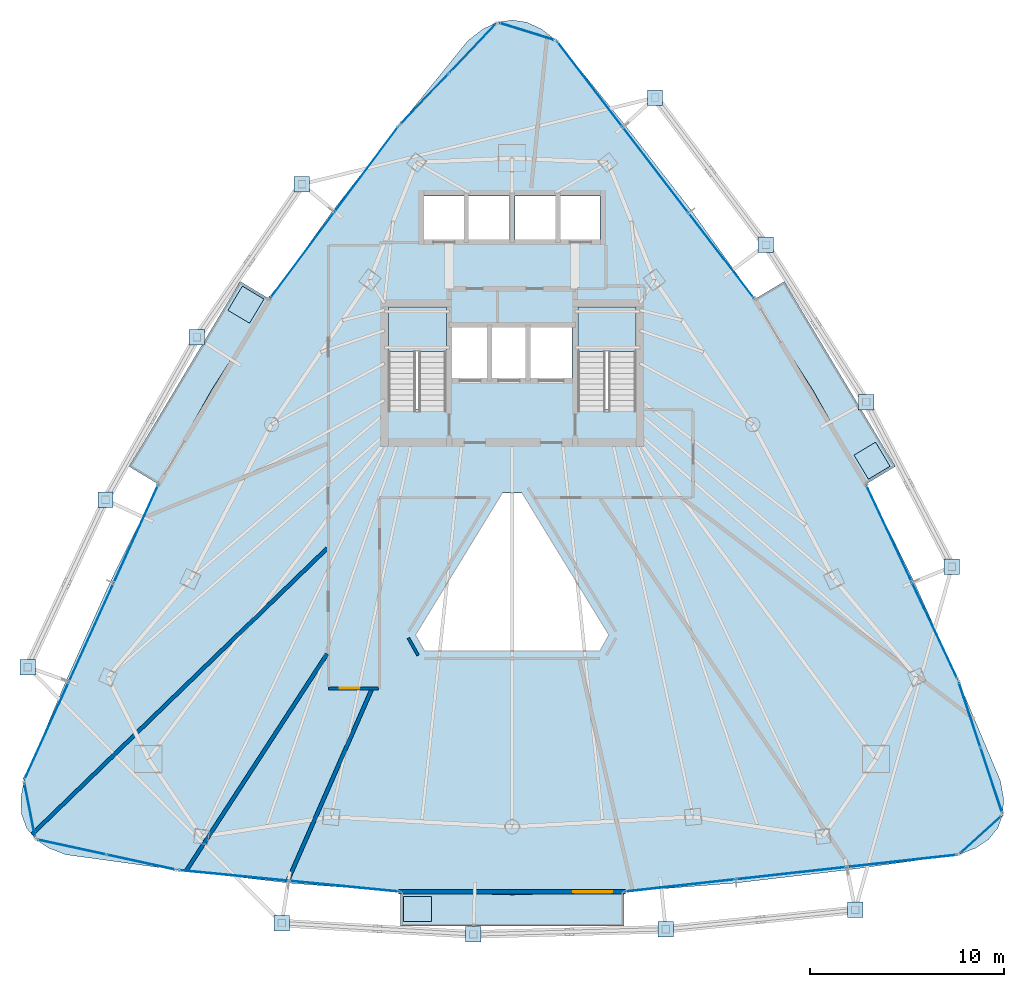
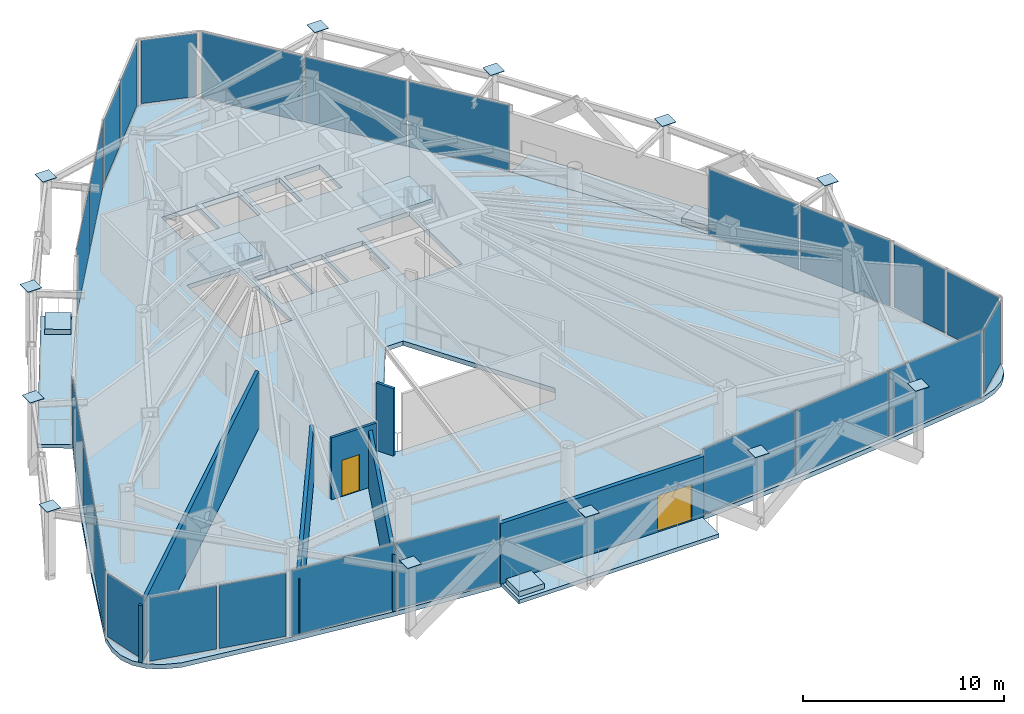
# One storey, part 23 of 28: 36 plates, 9 slabs, 6 walls, 2 doors, 2 openings, 14 elements without a shape of their own.
"""IFC4 building model written with IfcOpenShell, lengths in metres."""

import ifcopenshell
import ifcopenshell.guid

model = None  # the IFC model being written
_history = None  # IfcOwnerHistory: only IFC2X3 demands one
_inside = {}  # id of a spatial element -> (the spatial element, [elements in it])
_under = {}  # id of a project, library or spatial element -> (it, [spatial elements below it])
_declared = {}  # id of a project -> (the project, [libraries it declares])
_typed = {}  # id of a type object -> (the type object, [elements of that type])
_made_of = {}  # id of a material, layer set ... -> (it, [elements and type objects made of it])


def new_model(schema):
    """Start an empty IFC model of exactly this schema.

    Asked for "IFC4X3", IfcOpenShell would pick the latest addendum, in which some entities
    have other attributes; the version numbers below select the first issue.
    IFC2X3 requires an IfcOwnerHistory on every rooted entity: one is made here for all.
    """
    global model, _history
    if schema == "IFC4X3":
        model = ifcopenshell.file(schema_version=(4, 3, 0, 0))
    else:
        model = ifcopenshell.file(schema=schema)
    _inside.clear()
    _under.clear()
    _declared.clear()
    _typed.clear()
    _made_of.clear()
    _history = None
    if model.schema == "IFC2X3":
        org = make("IfcOrganization", Name="unknown")
        user = make(
            "IfcPersonAndOrganization",
            ThePerson=make("IfcPerson", FamilyName="unknown"),
            TheOrganization=org,
        )
        app = make(
            "IfcApplication",
            ApplicationDeveloper=org,
            Version="unknown",
            ApplicationFullName="unknown",
            ApplicationIdentifier="unknown",
        )
        _history = make(
            "IfcOwnerHistory",
            OwningUser=user,
            OwningApplication=app,
            ChangeAction="ADDED",
            CreationDate=0,
        )
    return model


def make(cls, **values):
    """One entity of the class cls with the attributes given. An attribute that is None is left unset."""
    return model.create_entity(
        cls, **{name: value for name, value in values.items() if value is not None}
    )


def rooted(cls, **values):
    """An entity with a GlobalId (a new one), such as an element, a storey or a relation."""
    return make(cls, GlobalId=ifcopenshell.guid.new(), OwnerHistory=_history, **values)


def si_unit(unit_type, name, prefix=None):
    """IfcSIUnit, for example si_unit("LENGTHUNIT", "METRE", prefix="MILLI")."""
    return make("IfcSIUnit", UnitType=unit_type, Prefix=prefix, Name=name)


def assignment(units):
    """IfcUnitAssignment: the units of a project."""
    return None if units is None else make("IfcUnitAssignment", Units=units)


def point(xyz):
    """IfcCartesianPoint."""
    return None if xyz is None else make("IfcCartesianPoint", Coordinates=xyz)


def direction(xyz):
    """IfcDirection."""
    return None if xyz is None else make("IfcDirection", DirectionRatios=xyz)


def frame(location, z_axis=None, x_axis=None):
    """IfcAxis2Placement3D, a coordinate frame: its origin and axes. An axis left out is left unset."""
    return make(
        "IfcAxis2Placement3D",
        Location=point(location),
        Axis=direction(z_axis),
        RefDirection=direction(x_axis),
    )


def frame_2d(location, x_axis=None):
    """IfcAxis2Placement2D, a coordinate frame in the plane: its origin and x axis."""
    return make(
        "IfcAxis2Placement2D", Location=point(location), RefDirection=direction(x_axis)
    )


def origin():
    """The frame at (0, 0, 0) with its axes left unset."""
    return frame((0.0, 0.0, 0.0))


def origin_2d():
    """The frame at (0, 0) in the plane with its x axis left unset."""
    return frame_2d((0.0, 0.0))


def place(relative_to, where):
    """IfcLocalPlacement: puts the frame where relative to a parent placement (None: the world)."""
    return make(
        "IfcLocalPlacement", PlacementRelTo=relative_to, RelativePlacement=where
    )


def context(
    kind, dimensions, precision=None, world=None, true_north=None, identifier=None
):
    """IfcGeometricRepresentationContext, for example the 3D "Model" context."""
    return make(
        "IfcGeometricRepresentationContext",
        ContextIdentifier=identifier,
        ContextType=kind,
        CoordinateSpaceDimension=dimensions,
        Precision=precision,
        WorldCoordinateSystem=world,
        TrueNorth=true_north,
    )


def subcontext(parent, identifier, kind, view, scale=None):
    """IfcGeometricRepresentationSubContext, for example "Body" below "Model"."""
    return make(
        "IfcGeometricRepresentationSubContext",
        ContextIdentifier=identifier,
        ContextType=kind,
        ParentContext=parent,
        TargetScale=scale,
        TargetView=view,
    )


def project(units=None, contexts=None):
    """IfcProject with its units and contexts."""
    return rooted(
        "IfcProject",
        Name="project",
        RepresentationContexts=contexts,
        UnitsInContext=assignment(units),
    )


def spatial(cls, under=None, at=None, **own):
    """A site, building, storey or space (cls), placed at a placement, below another one or the project."""
    s = rooted(cls, ObjectPlacement=at, **own)
    if under is not None:
        _under.setdefault(under.id(), (under, []))[1].append(s)
    return s


def polyline(points):
    """IfcPolyline through the points."""
    return make("IfcPolyline", Points=[point(p) for p in points])


def profile(cls, at=None, kind="AREA", **sizes):
    """A parametric profile (cls). Its sizes go by their IFC names, for example OverallWidth=200.0."""
    return make(cls, ProfileType=kind, Position=at, **sizes)


def rectangle(**sizes):
    """IfcRectangleProfileDef."""
    return profile("IfcRectangleProfileDef", **sizes)


def outline(outer, holes=None, kind="AREA"):
    """IfcArbitraryClosedProfileDef: a profile drawn as a closed curve; with holes, ...WithVoids."""
    if holes is None:
        return make("IfcArbitraryClosedProfileDef", ProfileType=kind, OuterCurve=outer)
    return make(
        "IfcArbitraryProfileDefWithVoids",
        ProfileType=kind,
        OuterCurve=outer,
        InnerCurves=holes,
    )


def extrude(swept, where, along, depth):
    """IfcExtrudedAreaSolid: the profile swept, set in the frame where, extruded along a direction by depth."""
    return make(
        "IfcExtrudedAreaSolid",
        SweptArea=swept,
        Position=where,
        ExtrudedDirection=direction(along),
        Depth=depth,
    )


def shape(context_of_items, identifier, shape_type, items):
    """IfcShapeRepresentation: the items that make up one representation, for example the "Body"."""
    return make(
        "IfcShapeRepresentation",
        ContextOfItems=context_of_items,
        RepresentationIdentifier=identifier,
        RepresentationType=shape_type,
        Items=items,
    )


def material(Name=None, Category=None):
    """IfcMaterial."""
    return make("IfcMaterial", Name=Name, Category=Category)


def layer(
    of_material, thickness, ventilated=None, Name=None, Category=None, Priority=None
):
    """IfcMaterialLayer: one layer of a wall or slab, of a material (None: an air gap)."""
    return make(
        "IfcMaterialLayer",
        Material=of_material,
        LayerThickness=thickness,
        IsVentilated=ventilated,
        Name=Name,
        Category=Category,
        Priority=Priority,
    )


def layer_set(layers, Name=None):
    """IfcMaterialLayerSet."""
    return make("IfcMaterialLayerSet", MaterialLayers=layers, LayerSetName=Name)


def made_of(thing, what):
    """Note that an element or type object is made of a material, layer set ...; save() writes the relation."""
    if what is not None:
        _made_of.setdefault(what.id(), (what, []))[1].append(thing)
    return thing


def type_object(cls, material=None, **own):
    """A type object (cls), such as IfcWallType, which elements share."""
    return made_of(rooted(cls, **own), material)


def element(
    cls,
    number,
    at=None,
    inside=None,
    cuts=None,
    type_object=None,
    material=None,
    context=None,
    identifier="Body",
    shape_type=None,
    held_by="IfcProductDefinitionShape",
    body=None,
    shapes=None,
    **own,
):
    """One element of the class cls, such as IfcWall. Its Tag is "e" and its number.

    at: its placement. inside: the storey or other place that contains it. cuts: it is an
    opening in that element (IfcRelVoidsElement). A single representation is given by context,
    identifier, shape_type and body (its items); several are given by shapes. held_by: the class
    of the entity that holds the representations. save() writes the other relations.
    """
    e = rooted(cls, Tag="e%d" % number, ObjectPlacement=at, **own)
    if body is not None:
        shapes = [shape(context, identifier, shape_type, body)]
    if shapes is not None:
        e.Representation = make(held_by, Representations=shapes)
    if inside is not None:
        _inside.setdefault(inside.id(), (inside, []))[1].append(e)
    if cuts is not None:
        rooted(
            "IfcRelVoidsElement", RelatingBuildingElement=cuts, RelatedOpeningElement=e
        )
    if type_object is not None:
        _typed.setdefault(type_object.id(), (type_object, []))[1].append(e)
    return made_of(e, material)


def fill(opening, filler):
    """IfcRelFillsElement: the door or window that sits in an opening."""
    return rooted(
        "IfcRelFillsElement",
        RelatingOpeningElement=opening,
        RelatedBuildingElement=filler,
    )


def aggregate(whole, parts):
    """IfcRelAggregates: a whole, such as a stair, and the parts it consists of."""
    return rooted("IfcRelAggregates", RelatingObject=whole, RelatedObjects=parts)


def save(model, path):
    """Write the relations noted so far, then the file.

    IfcRelAggregates (storeys below a building ...), IfcRelContainedInSpatialStructure (elements
    in a storey), IfcRelDefinesByType, IfcRelAssociatesMaterial and IfcRelDeclares: one each for
    every whole, place, type object, material and project.
    """
    for whole, parts in _under.values():
        aggregate(whole, parts)
    for where, things in _inside.values():
        rooted(
            "IfcRelContainedInSpatialStructure",
            RelatedElements=things,
            RelatingStructure=where,
        )
    for kind, things in _typed.values():
        rooted("IfcRelDefinesByType", RelatedObjects=things, RelatingType=kind)
    for what, things in _made_of.values():
        rooted("IfcRelAssociatesMaterial", RelatedObjects=things, RelatingMaterial=what)
    for by, libraries in _declared.values():
        rooted("IfcRelDeclares", RelatingContext=by, RelatedDefinitions=libraries)
    model.write(path)


model = new_model("IFC4")

# Units and contexts
model_context = context("Model", 3, precision=1e-05, world=origin(), true_north=direction((0.0, 1.0)))
body_context = subcontext(model_context, "Body", "Model", "MODEL_VIEW")
ifc_project = project(units=[si_unit("LENGTHUNIT", "METRE"), si_unit("AREAUNIT", "SQUARE_METRE"), si_unit("VOLUMEUNIT", "CUBIC_METRE"), si_unit("PLANEANGLEUNIT", "RADIAN"), si_unit("MASSUNIT", "GRAM", prefix="KILO")], contexts=[model_context])

# Site, building, storey
site_placement = place(None, origin())
site = spatial("IfcSite", under=ifc_project, at=site_placement, CompositionType="ELEMENT")
building_placement = place(site_placement, origin())
building = spatial("IfcBuilding", under=site, at=building_placement, Name="Orvanel Arch Residences", CompositionType="ELEMENT")
storey_placement = place(building_placement, frame((0.0, 0.0, 146.300048828125)))
storey = spatial("IfcBuildingStorey", under=building, at=storey_placement, Name="L41", CompositionType="ELEMENT", Elevation=146.300048828125)

# Plates
ifc_material_1 = material(Name="Structural steel AS/NZS 3678 Grade 350", Category="steel")
ifc_layer_1 = layer(ifc_material_1, 0.031982421875)
ifc_layer_set_1 = layer_set([ifc_layer_1], Name="Structural steel AS/NZS 3678 Grade 350")
plate_type_1 = type_object("IfcPlateType", Name="PL-CAP-32", PredefinedType="SHEET", material=ifc_layer_set_1)
for number, where, z_axis, x_axis, name in (
    (1, (22.135986328125, 40.052001953125, 4.333984375), (0.0, 0.0, 1.0), (1.0, 0.0, 0.0), "L41 hollow member end cap plate"),
    (2, (16.70703125, 32.136962890625, 4.333984375), (0.0, 0.0, 1.0), (1.0, 0.0, 0.0), "L41 hollow member end cap plate"),
    (3, (11.98291015625, 23.742919921875, 4.333984375), (0.0, 0.0, 1.0), (1.0, 0.0, 0.0), "L41 hollow member end cap plate"),
    (4, (7.964111328125, 15.096923828125, 4.333984375), (0.0, 0.0, 1.0), (1.0, 0.0, 0.0), "L41 hollow member end cap plate"),
    (5, (21.092041015625, 1.867919921875, 4.333984375), (0.0, 0.0, 1.0), (1.0, 0.0, 0.0), "L41 hollow member end cap plate"),
    (6, (30.989013671875, 1.284912109375, 4.333984375), (0.0, 0.0, 1.0), (1.0, 0.0, 0.0), "L41 hollow member end cap plate"),
    (7, (40.930908203125, 1.551025390625, 4.333984375), (0.0, 0.0, 1.0), (1.0, 0.0, 0.0), "L41 hollow member end cap plate"),
    (8, (50.73291015625, 2.551025390625, 4.333984375), (0.0, 0.0, 1.0), (1.0, 0.0, 0.0), "L41 hollow member end cap plate"),
    (9, (55.72412109375, 20.281005859375, 4.333984375), (0.0, 0.0, 1.0), (1.0, 0.0, 0.0), "L41 hollow member end cap plate"),
    (10, (51.297119140625, 28.797119140625, 4.333984375), (0.0, 0.0, 1.0), (1.0, 0.0, 0.0), "L41 hollow member end cap plate"),
    (11, (46.114990234375, 36.916015625, 4.333984375), (0.0, 0.0, 1.0), (1.0, 0.0, 0.0), "L41 hollow member end cap plate"),
    (12, (40.3798828125, 44.531982421875, 4.333984375), (0.0, 0.0, 1.0), (1.0, 0.0, 0.0), "L41 hollow member end cap plate"),
):
    element("IfcPlate", number, at=place(storey_placement, frame(where, z_axis=z_axis, x_axis=x_axis)), inside=storey, type_object=plate_type_1, Name=name, PredefinedType="SHEET", context=body_context, shape_type="SweptSolid", body=[
        extrude(rectangle(XDim=0.800048828125, YDim=0.800048828125, at=origin_2d()), origin(), (0.0, 0.0, 1.0), 0.031982421875),
    ])

# Curtain wall, plate
ifc_material_2 = material(Name="Bronze-anodised aluminium AA6063-T6", Category="aluminium")
ifc_layer_2 = layer(ifc_material_2, 0.18994140625)
ifc_layer_set_2 = layer_set([ifc_layer_2], Name="Bronze-anodised aluminium AA6063-T6")
curtain_wall_type_1 = type_object("IfcCurtainWallType", Name="CW5-CRN-SYS", PredefinedType="NOTDEFINED", material=ifc_layer_set_2)
curtain_wall_1_placement = place(storey_placement, origin())
curtain_wall_1 = element("IfcCurtainWall", 13, at=curtain_wall_1_placement, inside=storey, type_object=curtain_wall_type_1, Name="L41 CW5-CRN-SYS Unitised Curtain Wall", PredefinedType="NOTDEFINED")
ifc_material_3 = material(Name="Double-glazed solar-control low-E safety glass", Category="glass")
ifc_layer_3 = layer(ifc_material_3, 0.031982421875)
ifc_layer_set_3 = layer_set([ifc_layer_3], Name="Double-glazed solar-control low-E safety glass")
plate_type_2 = type_object("IfcPlateType", Name="PNL-GLZ-32", PredefinedType="CURTAIN_PANEL", material=ifc_layer_set_3)
plate_1_placement = place(storey_placement, frame((33.762939453125, 47.946044921875, 0.1298828125), z_axis=(0.0, 0.0, 1.0), x_axis=(-0.954884712154, 0.29697674403, 0.0)))
plate_1 = element("IfcPlate", 14, at=plate_1_placement, type_object=plate_type_2, Name="CW-S5 panel 1.1", PredefinedType="CURTAIN_PANEL", context=body_context, shape_type="SweptSolid", body=[
    extrude(rectangle(XDim=2.8583984375, YDim=0.031982421875, at=origin_2d()), origin(), (0.0, 0.0, 1.0), 3.85009765625),
])
aggregate(curtain_wall_1, [plate_1])

# Curtain wall, plates
curtain_wall_2_placement = place(storey_placement, origin())
curtain_wall_2 = element("IfcCurtainWall", 15, at=curtain_wall_2_placement, inside=storey, type_object=curtain_wall_type_1, Name="L41 CW5-CRN-SYS Unitised Curtain Wall", PredefinedType="NOTDEFINED")
plate_2_placement = place(storey_placement, frame((30.934326171875, 47.05615234375, 0.1298828125), z_axis=(0.0, 0.0, 1.0), x_axis=(-0.68995209509, -0.723855031398, 0.0)))
plate_2 = element("IfcPlate", 16, at=plate_2_placement, type_object=plate_type_2, Name="CW-S5 panel 1.1", PredefinedType="CURTAIN_PANEL", context=body_context, shape_type="SweptSolid", body=[
    extrude(rectangle(XDim=3.4326171875, YDim=0.031982421875, at=origin_2d()), origin(), (0.0, 0.0, 1.0), 3.85009765625),
])
plate_3_placement = place(storey_placement, frame((28.462646484375, 44.462890625, 0.1298828125), z_axis=(0.0, 0.0, 1.0), x_axis=(-0.68995209509, -0.723855031398, 0.0)))
plate_3 = element("IfcPlate", 17, at=plate_3_placement, type_object=plate_type_2, Name="CW-S5 panel 2.1", PredefinedType="CURTAIN_PANEL", context=body_context, shape_type="SweptSolid", body=[
    extrude(rectangle(XDim=3.4326171875, YDim=0.031982421875, at=origin_2d()), origin(), (0.0, 0.0, 1.0), 3.85009765625),
])
aggregate(curtain_wall_2, [plate_2, plate_3])

# Curtain wall, plate
curtain_wall_3_placement = place(storey_placement, origin())
curtain_wall_3 = element("IfcCurtainWall", 18, at=curtain_wall_3_placement, inside=storey, type_object=curtain_wall_type_1, Name="L41 CW5-CRN-SYS Unitised Curtain Wall", PredefinedType="NOTDEFINED")
plate_4_placement = place(storey_placement, frame((8.068603515625, 7.71337890625, 0.1298828125), z_axis=(0.0, 0.0, 1.0), x_axis=(0.195736540862, -0.98065651814, 0.0)))
plate_4 = element("IfcPlate", 19, at=plate_4_placement, type_object=plate_type_2, Name="CW-S5 panel 1.1", PredefinedType="CURTAIN_PANEL", context=body_context, shape_type="SweptSolid", body=[
    extrude(rectangle(XDim=2.73974609375, YDim=0.031982421875, at=origin_2d()), origin(), (0.0, 0.0, 1.0), 3.85009765625),
])
aggregate(curtain_wall_3, [plate_4])

# Curtain wall, plates
curtain_wall_4_placement = place(storey_placement, origin())
curtain_wall_4 = element("IfcCurtainWall", 20, at=curtain_wall_4_placement, inside=storey, type_object=curtain_wall_type_1, Name="L41 CW5-CRN-SYS Unitised Curtain Wall", PredefinedType="NOTDEFINED")
plate_5_placement = place(storey_placement, frame((10.248291015625, 5.79541015625, 0.1298828125), z_axis=(0.0, 0.0, 1.0), x_axis=(0.977207821391, -0.212284888328, 0.0)))
plate_5 = element("IfcPlate", 21, at=plate_5_placement, type_object=plate_type_2, Name="CW-S5 panel 1.1", PredefinedType="CURTAIN_PANEL", context=body_context, shape_type="SweptSolid", body=[
    extrude(rectangle(XDim=3.50341796875, YDim=0.031982421875, at=origin_2d()), origin(), (0.0, 0.0, 1.0), 3.85009765625),
])
plate_6_placement = place(storey_placement, frame((13.818603515625, 5.019775390625, 0.1298828125), z_axis=(0.0, 0.0, 1.0), x_axis=(0.977207821391, -0.212284888328, 0.0)))
plate_6 = element("IfcPlate", 22, at=plate_6_placement, type_object=plate_type_2, Name="CW-S5 panel 2.1", PredefinedType="CURTAIN_PANEL", context=body_context, shape_type="SweptSolid", body=[
    extrude(rectangle(XDim=3.50341796875, YDim=0.031982421875, at=origin_2d()), origin(), (0.0, 0.0, 1.0), 3.85009765625),
])
aggregate(curtain_wall_4, [plate_5, plate_6])

# Curtain wall, plate
curtain_wall_5_placement = place(storey_placement, origin())
curtain_wall_5 = element("IfcCurtainWall", 23, at=curtain_wall_5_placement, inside=storey, type_object=curtain_wall_type_1, Name="L41 CW5-CRN-SYS Unitised Curtain Wall", PredefinedType="NOTDEFINED")
plate_7_placement = place(storey_placement, frame((57.21044921875, 6.4404296875, 0.1298828125), z_axis=(0.0, 0.0, 1.0), x_axis=(0.740163210466, 0.672427261399, 0.0)))
plate_7 = element("IfcPlate", 24, at=plate_7_placement, type_object=plate_type_2, Name="CW-S5 panel 1.1", PredefinedType="CURTAIN_PANEL", context=body_context, shape_type="SweptSolid", body=[
    extrude(rectangle(XDim=2.7412109375, YDim=0.031982421875, at=origin_2d()), origin(), (0.0, 0.0, 1.0), 3.85009765625),
])
aggregate(curtain_wall_5, [plate_7])

# Curtain wall, plates
curtain_wall_6_placement = place(storey_placement, origin())
curtain_wall_6 = element("IfcCurtainWall", 25, at=curtain_wall_6_placement, inside=storey, type_object=curtain_wall_type_1, Name="L41 CW5-CRN-SYS Unitised Curtain Wall", PredefinedType="NOTDEFINED")
plate_8_placement = place(storey_placement, frame((57.760009765625, 9.25537109375, 0.1298828125), z_axis=(0.0, 0.0, 1.0), x_axis=(-0.315402345841, 0.94895803924, 0.0)))
plate_8 = element("IfcPlate", 26, at=plate_8_placement, type_object=plate_type_2, Name="CW-S5 panel 1.1", PredefinedType="CURTAIN_PANEL", context=body_context, shape_type="SweptSolid", body=[
    extrude(rectangle(XDim=3.41015625, YDim=0.031982421875, at=origin_2d()), origin(), (0.0, 0.0, 1.0), 3.85009765625),
])
plate_9_placement = place(storey_placement, frame((56.636962890625, 12.633544921875, 0.1298828125), z_axis=(0.0, 0.0, 1.0), x_axis=(-0.315402345841, 0.94895803924, 0.0)))
plate_9 = element("IfcPlate", 27, at=plate_9_placement, type_object=plate_type_2, Name="CW-S5 panel 2.1", PredefinedType="CURTAIN_PANEL", context=body_context, shape_type="SweptSolid", body=[
    extrude(rectangle(XDim=3.41015625, YDim=0.031982421875, at=origin_2d()), origin(), (0.0, 0.0, 1.0), 3.85009765625),
])
aggregate(curtain_wall_6, [plate_8, plate_9])

ifc_layer_4 = layer(ifc_material_2, 0.195068359375)
ifc_layer_set_4 = layer_set([ifc_layer_4], Name="Bronze-anodised aluminium AA6063-T6")
curtain_wall_type_2 = type_object("IfcCurtainWallType", Name="CW6-COM-SYS", PredefinedType="NOTDEFINED", material=ifc_layer_set_4)
curtain_wall_7_placement = place(storey_placement, origin())
curtain_wall_7 = element("IfcCurtainWall", 28, at=curtain_wall_7_placement, inside=storey, type_object=curtain_wall_type_2, Name="L41 CW6-COM-SYS Unitised Curtain Wall", PredefinedType="NOTDEFINED")
plate_10_placement = place(storey_placement, frame((25.46923828125, 40.828857421875, 0.06494140625), z_axis=(0.0, 0.0, 1.0), x_axis=(-0.597704871327, -0.801716213377, 0.0)))
plate_10 = element("IfcPlate", 29, at=plate_10_placement, type_object=plate_type_2, Name="CW-S6 panel 1.1", PredefinedType="CURTAIN_PANEL", context=body_context, shape_type="SweptSolid", body=[
    extrude(rectangle(XDim=5.470458984375, YDim=0.031982421875, at=origin_2d()), origin(), (0.0, 0.0, 1.0), 3.97998046875),
])
plate_11_placement = place(storey_placement, frame((22.15478515625, 36.383056640625, 0.06494140625), z_axis=(0.0, 0.0, 1.0), x_axis=(-0.597704871327, -0.801716213377, 0.0)))
plate_11 = element("IfcPlate", 30, at=plate_11_placement, type_object=plate_type_2, Name="CW-S6 panel 2.1", PredefinedType="CURTAIN_PANEL", context=body_context, shape_type="SweptSolid", body=[
    extrude(rectangle(XDim=5.470458984375, YDim=0.031982421875, at=origin_2d()), origin(), (0.0, 0.0, 1.0), 3.97998046875),
])
aggregate(curtain_wall_7, [plate_10, plate_11])

curtain_wall_8_placement = place(storey_placement, origin())
curtain_wall_8 = element("IfcCurtainWall", 31, at=curtain_wall_8_placement, inside=storey, type_object=curtain_wall_type_2, Name="L41 CW6-COM-SYS Unitised Curtain Wall", PredefinedType="NOTDEFINED")
plate_12_placement = place(storey_placement, frame((13.553955078125, 21.96826171875, 0.06494140625), z_axis=(0.0, 0.0, 1.0), x_axis=(-0.413461974242, -0.91052138682, 0.0)))
plate_12 = element("IfcPlate", 32, at=plate_12_placement, type_object=plate_type_2, Name="CW-S6 panel 1.1", PredefinedType="CURTAIN_PANEL", context=body_context, shape_type="SweptSolid", body=[
    extrude(rectangle(XDim=5.48583984375, YDim=0.031982421875, at=origin_2d()), origin(), (0.0, 0.0, 1.0), 3.97998046875),
])
plate_13_placement = place(storey_placement, frame((11.2470703125, 16.887939453125, 0.06494140625), z_axis=(0.0, 0.0, 1.0), x_axis=(-0.413461974242, -0.91052138682, 0.0)))
plate_13 = element("IfcPlate", 33, at=plate_13_placement, type_object=plate_type_2, Name="CW-S6 panel 2.1", PredefinedType="CURTAIN_PANEL", context=body_context, shape_type="SweptSolid", body=[
    extrude(rectangle(XDim=5.523193359375, YDim=0.031982421875, at=origin_2d()), origin(), (0.0, 0.0, 1.0), 3.97998046875),
])
plate_14_placement = place(storey_placement, frame((8.940185546875, 11.8076171875, 0.06494140625), z_axis=(0.0, 0.0, 1.0), x_axis=(-0.413461974242, -0.91052138682, 0.0)))
plate_14 = element("IfcPlate", 34, at=plate_14_placement, type_object=plate_type_2, Name="CW-S6 panel 3.1", PredefinedType="CURTAIN_PANEL", context=body_context, shape_type="SweptSolid", body=[
    extrude(rectangle(XDim=5.48583984375, YDim=0.031982421875, at=origin_2d()), origin(), (0.0, 0.0, 1.0), 3.97998046875),
])
aggregate(curtain_wall_8, [plate_12, plate_13, plate_14])

curtain_wall_9_placement = place(storey_placement, origin())
curtain_wall_9 = element("IfcCurtainWall", 35, at=curtain_wall_9_placement, inside=storey, type_object=curtain_wall_type_2, Name="L41 CW6-COM-SYS Unitised Curtain Wall", PredefinedType="NOTDEFINED")
plate_15_placement = place(storey_placement, frame((18.609375, 4.328369140625, 0.06494140625), z_axis=(0.0, 0.0, 1.0), x_axis=(0.995295224559, -0.096888678236, 0.0)))
plate_15 = element("IfcPlate", 36, at=plate_15_placement, type_object=plate_type_2, Name="CW-S6 panel 1.1", PredefinedType="CURTAIN_PANEL", context=body_context, shape_type="SweptSolid", body=[
    extrude(rectangle(XDim=5.662109375, YDim=0.031982421875, at=origin_2d()), origin(), (0.0, 0.0, 1.0), 3.97998046875),
])
plate_16_placement = place(storey_placement, frame((24.319580078125, 3.7724609375, 0.06494140625), z_axis=(0.0, 0.0, 1.0), x_axis=(0.995295224559, -0.096888678236, 0.0)))
plate_16 = element("IfcPlate", 37, at=plate_16_placement, type_object=plate_type_2, Name="CW-S6 panel 2.1", PredefinedType="CURTAIN_PANEL", context=body_context, shape_type="SweptSolid", body=[
    extrude(rectangle(XDim=5.662109375, YDim=0.031982421875, at=origin_2d()), origin(), (0.0, 0.0, 1.0), 3.97998046875),
])
aggregate(curtain_wall_9, [plate_15, plate_16])

curtain_wall_10_placement = place(storey_placement, origin())
curtain_wall_10 = element("IfcCurtainWall", 38, at=curtain_wall_10_placement, inside=storey, type_object=curtain_wall_type_2, Name="L41 CW6-COM-SYS Unitised Curtain Wall", PredefinedType="NOTDEFINED")
plate_17_placement = place(storey_placement, frame((41.68359375, 3.811767578125, 0.06494140625), z_axis=(0.0, 0.0, 1.0), x_axis=(0.993921593693, 0.110090261109, 0.0)))
plate_17 = element("IfcPlate", 39, at=plate_17_placement, type_object=plate_type_2, Name="CW-S6 panel 1.1", PredefinedType="CURTAIN_PANEL", context=body_context, shape_type="SweptSolid", body=[
    extrude(rectangle(XDim=5.6767578125, YDim=0.031982421875, at=origin_2d()), origin(), (0.0, 0.0, 1.0), 3.97998046875),
])
plate_18_placement = place(storey_placement, frame((47.4189453125, 4.447021484375, 0.06494140625), z_axis=(0.0, 0.0, 1.0), x_axis=(0.993921593693, 0.110090261109, 0.0)))
plate_18 = element("IfcPlate", 40, at=plate_18_placement, type_object=plate_type_2, Name="CW-S6 panel 2.1", PredefinedType="CURTAIN_PANEL", context=body_context, shape_type="SweptSolid", body=[
    extrude(rectangle(XDim=5.714111328125, YDim=0.031982421875, at=origin_2d()), origin(), (0.0, 0.0, 1.0), 3.97998046875),
])
plate_19_placement = place(storey_placement, frame((53.154296875, 5.082275390625, 0.06494140625), z_axis=(0.0, 0.0, 1.0), x_axis=(0.993921593693, 0.110090261109, 0.0)))
plate_19 = element("IfcPlate", 41, at=plate_19_placement, type_object=plate_type_2, Name="CW-S6 panel 3.1", PredefinedType="CURTAIN_PANEL", context=body_context, shape_type="SweptSolid", body=[
    extrude(rectangle(XDim=5.6767578125, YDim=0.031982421875, at=origin_2d()), origin(), (0.0, 0.0, 1.0), 3.97998046875),
])
aggregate(curtain_wall_10, [plate_17, plate_18, plate_19])

curtain_wall_11_placement = place(storey_placement, origin())
curtain_wall_11 = element("IfcCurtainWall", 42, at=curtain_wall_11_placement, inside=storey, type_object=curtain_wall_type_2, Name="L41 CW6-COM-SYS Unitised Curtain Wall", PredefinedType="NOTDEFINED")
plate_20_placement = place(storey_placement, frame((54.84033203125, 16.9736328125, 0.06494140625), z_axis=(0.0, 0.0, 1.0), x_axis=(-0.425844478229, 0.904796375082, 0.0)))
plate_20 = element("IfcPlate", 43, at=plate_20_placement, type_object=plate_type_2, Name="CW-S6 panel 1.1", PredefinedType="CURTAIN_PANEL", context=body_context, shape_type="SweptSolid", body=[
    extrude(rectangle(XDim=5.470458984375, YDim=0.031982421875, at=origin_2d()), origin(), (0.0, 0.0, 1.0), 3.97998046875),
])
plate_21_placement = place(storey_placement, frame((52.478759765625, 21.9912109375, 0.06494140625), z_axis=(0.0, 0.0, 1.0), x_axis=(-0.425844478229, 0.904796375082, 0.0)))
plate_21 = element("IfcPlate", 44, at=plate_21_placement, type_object=plate_type_2, Name="CW-S6 panel 2.1", PredefinedType="CURTAIN_PANEL", context=body_context, shape_type="SweptSolid", body=[
    extrude(rectangle(XDim=5.470458984375, YDim=0.031982421875, at=origin_2d()), origin(), (0.0, 0.0, 1.0), 3.97998046875),
])
aggregate(curtain_wall_11, [plate_20, plate_21])

curtain_wall_12_placement = place(storey_placement, origin())
curtain_wall_12 = element("IfcCurtainWall", 45, at=curtain_wall_12_placement, inside=storey, type_object=curtain_wall_type_2, Name="L41 CW6-COM-SYS Unitised Curtain Wall", PredefinedType="NOTDEFINED")
plate_22_placement = place(storey_placement, frame((43.809814453125, 36.36572265625, 0.06494140625), z_axis=(0.0, 0.0, 1.0), x_axis=(-0.608700261327, 0.793400272158, 0.0)))
plate_22 = element("IfcPlate", 46, at=plate_22_placement, type_object=plate_type_2, Name="CW-S6 panel 1.1", PredefinedType="CURTAIN_PANEL", context=body_context, shape_type="SweptSolid", body=[
    extrude(rectangle(XDim=5.48583984375, YDim=0.031982421875, at=origin_2d()), origin(), (0.0, 0.0, 1.0), 3.97998046875),
])
plate_23_placement = place(storey_placement, frame((40.41357421875, 40.79248046875, 0.06494140625), z_axis=(0.0, 0.0, 1.0), x_axis=(-0.608700261327, 0.793400272158, 0.0)))
plate_23 = element("IfcPlate", 47, at=plate_23_placement, type_object=plate_type_2, Name="CW-S6 panel 2.1", PredefinedType="CURTAIN_PANEL", context=body_context, shape_type="SweptSolid", body=[
    extrude(rectangle(XDim=5.523193359375, YDim=0.031982421875, at=origin_2d()), origin(), (0.0, 0.0, 1.0), 3.97998046875),
])
plate_24_placement = place(storey_placement, frame((37.017333984375, 45.21923828125, 0.06494140625), z_axis=(0.0, 0.0, 1.0), x_axis=(-0.608700261327, 0.793400272158, 0.0)))
plate_24 = element("IfcPlate", 48, at=plate_24_placement, type_object=plate_type_2, Name="CW-S6 panel 3.1", PredefinedType="CURTAIN_PANEL", context=body_context, shape_type="SweptSolid", body=[
    extrude(rectangle(XDim=5.48583984375, YDim=0.031982421875, at=origin_2d()), origin(), (0.0, 0.0, 1.0), 3.97998046875),
])
aggregate(curtain_wall_12, [plate_22, plate_23, plate_24])

# Slabs
ifc_material_4 = material(Name="Concrete N40 (40 MPa)", Category="concrete")
ifc_layer_5 = layer(ifc_material_4, 0.22998046875)
ifc_layer_set_5 = layer_set([ifc_layer_5], Name="Concrete N40 (40 MPa)")
slab_type_1 = type_object("IfcSlabType", Name="SLB-BAL-230", PredefinedType="FLOOR", material=ifc_layer_set_5)
slab_1_placement = place(storey_placement, frame((0.0, 0.0, -0.22998046875)))
element("IfcSlab", 49, at=slab_1_placement, inside=storey, type_object=slab_type_1, Name="L41 Cantilevered Balcony Slab Face 1", PredefinedType="FLOOR", context=body_context, shape_type="SweptSolid", body=[
    extrude(outline(polyline([(18.93603515625, 35.030029296875), (13.200927734375, 25.468017578125), (14.72705078125, 24.552001953125), (17.458984375, 29.4140625), (20.462890625, 34.114013671875), (18.93603515625, 35.030029296875)])), origin(), (0.0, 0.0, 1.0), 0.22998046875),
])
slab_2_placement = place(storey_placement, frame((0.0, 0.0, -0.22998046875)))
element("IfcSlab", 50, at=slab_2_placement, inside=storey, type_object=slab_type_1, Name="L41 Cantilevered Balcony Slab Face 2", PredefinedType="FLOOR", context=body_context, shape_type="SweptSolid", body=[
    extrude(outline(polyline([(27.23193359375, 1.708984375), (38.76806640625, 1.708984375), (38.76806640625, 3.489013671875), (33.0, 3.3310546875), (27.23193359375, 3.489013671875), (27.23193359375, 1.708984375)])), origin(), (0.0, 0.0, 1.0), 0.22998046875),
])
slab_3_placement = place(storey_placement, frame((0.0, 0.0, -0.22998046875)))
element("IfcSlab", 51, at=slab_3_placement, inside=storey, type_object=slab_type_1, Name="L41 Cantilevered Balcony Slab Face 3", PredefinedType="FLOOR", context=body_context, shape_type="SweptSolid", body=[
    extrude(outline(polyline([(52.799072265625, 25.468017578125), (47.06396484375, 35.030029296875), (45.537109375, 34.114013671875), (48.541015625, 29.4140625), (51.27294921875, 24.552001953125), (52.799072265625, 25.468017578125)])), origin(), (0.0, 0.0, 1.0), 0.22998046875),
])

# Stair, slab
ifc_material_5 = material(Name="Precast concrete N50 (50 MPa)", Category="concrete")
stair_type = type_object("IfcStairType", Name="STR-DOG-181", PredefinedType="USERDEFINED", material=ifc_material_5)
stair_1_placement = place(storey_placement, origin())
stair_1 = element("IfcStair", 52, at=stair_1_placement, inside=storey, type_object=stair_type, Name="L41 Fire-Isolated Core Exit Stair 1", ObjectType="TWO_RETURN_STAIR", PredefinedType="USERDEFINED")
ifc_layer_6 = layer(ifc_material_4, 0.199951171875)
ifc_layer_set_6 = layer_set([ifc_layer_6], Name="Concrete N40 (40 MPa)")
slab_type_2 = type_object("IfcSlabType", Name="SLB-LND-200", PredefinedType="LANDING", material=ifc_layer_set_6)
slab_4_placement = place(storey_placement, frame((0.0, 0.0, 1.974853515625)))
slab_4 = element("IfcSlab", 53, at=slab_4_placement, type_object=slab_type_2, Name="ST-1 landing 1", PredefinedType="LANDING", context=body_context, shape_type="SweptSolid", body=[
    extrude(outline(polyline([(29.60009765625, 31.39990234375), (29.60009765625, 33.699951171875), (26.60009765625, 33.699951171875), (26.60009765625, 31.39990234375), (29.60009765625, 31.39990234375)])), origin(), (0.0, 0.0, 1.0), 0.2001953125),
])
aggregate(stair_1, [slab_4])

stair_2_placement = place(storey_placement, origin())
stair_2 = element("IfcStair", 54, at=stair_2_placement, inside=storey, type_object=stair_type, Name="L41 Fire-Isolated Core Exit Stair 2", ObjectType="TWO_RETURN_STAIR", PredefinedType="USERDEFINED")
slab_5_placement = place(storey_placement, frame((0.0, 0.0, 1.974853515625)))
slab_5 = element("IfcSlab", 55, at=slab_5_placement, type_object=slab_type_2, Name="ST-2 landing 1", PredefinedType="LANDING", context=body_context, shape_type="SweptSolid", body=[
    extrude(outline(polyline([(39.39990234375, 31.39990234375), (39.39990234375, 33.699951171875), (36.39990234375, 33.699951171875), (36.39990234375, 31.39990234375), (39.39990234375, 31.39990234375)])), origin(), (0.0, 0.0, 1.0), 0.2001953125),
])
aggregate(stair_2, [slab_5])

# Slabs
ifc_material_6 = material(Name="Structural architectural precast concrete N40 (40 MPa) planter", Category="concrete")
ifc_layer_7 = layer(ifc_material_6, 0.320068359375)
ifc_layer_set_7 = layer_set([ifc_layer_7], Name="Structural architectural precast concrete N40 (40 MPa) planter")
slab_type_3 = type_object("IfcSlabType", Name="SLB-PLN-320", PredefinedType="USERDEFINED", material=ifc_layer_set_7)
slab_6_placement = place(storey_placement, origin())
element("IfcSlab", 56, at=slab_6_placement, inside=storey, type_object=slab_type_3, Name="L41 Balcony TREE PLANTER Face 1", ObjectType="PLANTER", PredefinedType="USERDEFINED", context=body_context, shape_type="SweptSolid", body=[
    extrude(outline(polyline([(19.055908203125, 34.782958984375), (18.31005859375, 33.5390625), (19.425048828125, 32.87109375), (20.1708984375, 34.114013671875), (19.055908203125, 34.782958984375)])), origin(), (0.0, 0.0, 1.0), 0.320068359375),
])
slab_7_placement = place(storey_placement, origin())
element("IfcSlab", 57, at=slab_7_placement, inside=storey, type_object=slab_type_3, Name="L41 Balcony TREE PLANTER Face 2", ObjectType="PLANTER", PredefinedType="USERDEFINED", context=body_context, shape_type="SweptSolid", body=[
    extrude(outline(polyline([(27.382080078125, 1.93896484375), (28.83203125, 1.93896484375), (28.83203125, 3.239013671875), (27.382080078125, 3.239013671875), (27.382080078125, 1.93896484375)])), origin(), (0.0, 0.0, 1.0), 0.320068359375),
])
slab_8_placement = place(storey_placement, origin())
element("IfcSlab", 58, at=slab_8_placement, inside=storey, type_object=slab_type_3, Name="L41 Balcony TREE PLANTER Face 3", ObjectType="PLANTER", PredefinedType="USERDEFINED", context=body_context, shape_type="SweptSolid", body=[
    extrude(outline(polyline([(52.52490234375, 25.47802734375), (51.779052734375, 26.721923828125), (50.6640625, 26.052978515625), (51.409912109375, 24.81005859375), (52.52490234375, 25.47802734375)])), origin(), (0.0, 0.0, 1.0), 0.320068359375),
])
ifc_layer_8 = layer(ifc_material_4, 0.280029296875)
ifc_layer_set_8 = layer_set([ifc_layer_8], Name="Concrete N40 (40 MPa)")
slab_type_4 = type_object("IfcSlabType", Name="SLB-POD-280", PredefinedType="FLOOR", material=ifc_layer_set_8)
slab_9_placement = place(storey_placement, frame((0.0, 0.0, -0.280029296875)))
element("IfcSlab", 59, at=slab_9_placement, inside=storey, type_object=slab_type_4, Name="L41 Tower Floor Slab", PredefinedType="FLOOR", context=body_context, shape_type="SweptSolid", body=[
    extrude(outline(polyline([(35.2900390625, 47.470947265625), (34.527099609375, 48.06494140625), (33.763916015625, 48.4208984375), (33.0, 48.5400390625), (32.236083984375, 48.4208984375), (31.472900390625, 48.06494140625), (30.7099609375, 47.470947265625), (27.160888671875, 43.097900390625), (23.716064453125, 38.6640625), (20.462890625, 34.114013671875), (17.458984375, 29.4140625), (14.72705078125, 24.552001953125), (12.2451171875, 19.5400390625), (9.9541015625, 14.4130859375), (7.76708984375, 9.22412109375), (7.60302734375, 8.2900390625), (7.64892578125, 7.47607421875), (7.904052734375, 6.780029296875), (8.3701171875, 6.202880859375), (9.044921875, 5.7451171875), (9.929931640625, 5.405029296875), (15.697021484375, 4.612060546875), (21.465087890625, 3.93798828125), (27.23193359375, 3.489013671875), (33.0, 3.3310546875), (38.76806640625, 3.489013671875), (44.534912109375, 3.93798828125), (50.302978515625, 4.612060546875), (56.070068359375, 5.405029296875), (56.955078125, 5.7451171875), (57.6298828125, 6.202880859375), (58.095947265625, 6.780029296875), (58.35107421875, 7.47607421875), (58.39697265625, 8.2900390625), (58.23291015625, 9.22412109375), (56.0458984375, 14.4130859375), (53.7548828125, 19.5400390625), (51.27294921875, 24.552001953125), (48.541015625, 29.4140625), (45.537109375, 34.114013671875), (42.283935546875, 38.6640625), (38.839111328125, 43.097900390625), (35.2900390625, 47.470947265625)]), holes=[polyline([(26.60009765625, 28.429931640625), (26.60009765625, 33.699951171875), (29.60009765625, 33.699951171875), (29.60009765625, 28.429931640625), (26.60009765625, 28.429931640625)]), polyline([(36.39990234375, 28.429931640625), (36.39990234375, 33.699951171875), (39.39990234375, 33.699951171875), (39.39990234375, 28.429931640625), (36.39990234375, 28.429931640625)]), polyline([(29.89990234375, 32.64990234375), (31.75, 32.64990234375), (31.75, 29.949951171875), (29.89990234375, 29.949951171875), (29.89990234375, 32.64990234375)]), polyline([(31.89990234375, 32.64990234375), (33.75, 32.64990234375), (33.75, 29.949951171875), (31.89990234375, 29.949951171875), (31.89990234375, 32.64990234375)]), polyline([(33.89990234375, 32.64990234375), (36.10009765625, 32.64990234375), (36.10009765625, 29.949951171875), (33.89990234375, 29.949951171875), (33.89990234375, 32.64990234375)]), polyline([(28.449951171875, 39.449951171875), (30.5, 39.449951171875), (30.5, 37.199951171875), (28.449951171875, 37.199951171875), (28.449951171875, 39.449951171875)]), polyline([(35.5, 39.449951171875), (37.550048828125, 39.449951171875), (37.550048828125, 37.199951171875), (35.5, 37.199951171875), (35.5, 39.449951171875)]), polyline([(30.75, 39.449951171875), (32.85009765625, 39.449951171875), (32.85009765625, 37.199951171875), (30.75, 37.199951171875), (30.75, 39.449951171875)]), polyline([(33.14990234375, 39.449951171875), (35.25, 39.449951171875), (35.25, 37.199951171875), (33.14990234375, 37.199951171875), (33.14990234375, 39.449951171875)]), polyline([(37.998046875, 16.760986328125), (37.532958984375, 15.93310546875), (28.466064453125, 15.93310546875), (28.001953125, 16.760986328125), (32.492919921875, 24.10888671875), (33.507080078125, 24.10888671875), (37.998046875, 16.760986328125)])]), origin(), (0.0, 0.0, 1.0), 0.280029296875),
])

# Wall, opening, door
ifc_layer_9 = layer(ifc_material_5, 0.239990234375)
ifc_layer_set_9 = layer_set([ifc_layer_9], Name="Precast concrete N50 (50 MPa)")
wall_type_1 = type_object("IfcWallType", Name="EW-BAL-240", PredefinedType="SOLIDWALL", material=ifc_layer_set_9)
wall_1_placement = place(storey_placement, frame((27.134033203125, 3.489013671875, 0.0), z_axis=(0.0, 0.0, 1.0), x_axis=(1.0, 0.0, 0.0)))
wall_1 = element("IfcWall", 60, at=wall_1_placement, inside=storey, type_object=wall_type_1, Name="L41 Balcony Threshold Wall Face 2", PredefinedType="SOLIDWALL", context=body_context, shape_type="SweptSolid", body=[
    extrude(rectangle(XDim=11.73193359375, YDim=0.239990234375, at=frame_2d((5.865966796875, 0.0))), origin(), (0.0, 0.0, 1.0), 3.674072265625),
])
opening_1_placement = place(wall_1_placement, frame((9.032958984375, 0.0, 0.0)))
opening_1 = element("IfcOpeningElement", 61, at=opening_1_placement, cuts=wall_1, Name="Opening DT-200", PredefinedType="OPENING", context=body_context, shape_type="SweptSolid", body=[
    extrude(rectangle(XDim=2.0, YDim=2.199951171875, at=frame_2d((1.0, 1.10009765625))), frame((0.0, 0.1298828125, 0.0), z_axis=(0.0, -1.0, 0.0), x_axis=(1.0, 0.0, 0.0)), (0.0, 0.0, 1.0), 0.260009765625),
])
door_type_1 = type_object("IfcDoorType", Name="DR-TER-2000", OperationType="NOTDEFINED", PredefinedType="DOOR", material=ifc_material_2)
door_1_placement = place(opening_1_placement, origin())
door_1 = element("IfcDoor", 62, at=door_1_placement, inside=storey, type_object=door_type_1, Name="DR-L41-BAL-F2 L41 Planted Balcony Access Door Face 2", OperationType="SINGLE_SWING_LEFT", OverallHeight=2.199951171875, OverallWidth=2.0, PredefinedType="DOOR", context=body_context, shape_type="SweptSolid", body=[
    extrude(rectangle(XDim=2.0, YDim=2.199951171875, at=frame_2d((1.0, 1.10009765625))), frame((0.0, 0.02490234375, 0.0), z_axis=(0.0, -1.0, 0.0), x_axis=(1.0, 0.0, 0.0)), (0.0, 0.0, 1.0), 0.050048828125),
])
fill(opening_1, door_1)

ifc_material_7 = material(Name="Fire-rated plasterboard lined steel stud partition", Category="steel")
ifc_layer_10 = layer(ifc_material_7, 0.14990234375)
ifc_layer_set_10 = layer_set([ifc_layer_10], Name="Fire-rated plasterboard lined steel stud partition")
wall_type_2 = type_object("IfcWallType", Name="W-COR-150", PredefinedType="PARTITIONING", material=ifc_layer_set_10)
wall_2_placement = place(storey_placement, frame((26.090087890625, 14.0, 0.0), z_axis=(0.0, 0.0, 1.0), x_axis=(-1.0, 0.0, 0.0)))
wall_2 = element("IfcWall", 63, at=wall_2_placement, inside=storey, type_object=wall_type_2, Name="L41 Community Corridor Wall", PredefinedType="PARTITIONING", context=body_context, shape_type="SweptSolid", body=[
    extrude(rectangle(XDim=2.590087890625, YDim=0.14990234375, at=frame_2d((1.294921875, 0.0))), origin(), (0.0, 0.0, 1.0), 3.77099609375),
])
opening_2_placement = place(wall_2_placement, frame((0.992919921875, 0.0, 0.0)))
opening_2 = element("IfcOpeningElement", 64, at=opening_2_placement, cuts=wall_2, Name="Opening DP-100", PredefinedType="OPENING", context=body_context, shape_type="SweptSolid", body=[
    extrude(rectangle(XDim=1.0, YDim=2.199951171875, at=frame_2d((0.5, 1.10009765625))), frame((0.0, 0.0849609375, 0.0), z_axis=(0.0, -1.0, 0.0), x_axis=(1.0, 0.0, 0.0)), (0.0, 0.0, 1.0), 0.169921875),
])
ifc_material_8 = material(Name="Solid-core European oak veneer fire door leaf", Category="wood")
door_type_2 = type_object("IfcDoorType", Name="DR-POD-1000", OperationType="NOTDEFINED", PredefinedType="DOOR", material=ifc_material_8)
door_2_placement = place(opening_2_placement, origin())
door_2 = element("IfcDoor", 65, at=door_2_placement, inside=storey, type_object=door_type_2, Name="DR-L41-OFC-4 L41 Quiet Work Office Door", OperationType="SINGLE_SWING_LEFT", OverallHeight=2.199951171875, OverallWidth=1.0, PredefinedType="DOOR", context=body_context, shape_type="SweptSolid", body=[
    extrude(rectangle(XDim=1.0, YDim=2.199951171875, at=frame_2d((0.5, 1.10009765625))), frame((0.0, 0.02490234375, 0.0), z_axis=(0.0, -1.0, 0.0), x_axis=(1.0, 0.0, 0.0)), (0.0, 0.0, 1.0), 0.050048828125),
])
fill(opening_2, door_2)

# Walls
wall_3_placement = place(storey_placement, frame((28.137939453125, 15.705078125, 0.0), z_axis=(0.0, 0.0, 1.0), x_axis=(-0.489153867357, 0.872197508624, 0.0)))
element("IfcWall", 66, at=wall_3_placement, inside=storey, type_object=wall_type_2, Name="L41 Atrium Glazed Wall", PredefinedType="PARTITIONING", context=body_context, shape_type="SweptSolid", body=[
    extrude(rectangle(XDim=1.026123046875, YDim=0.14990234375, at=frame_2d((0.51318359375, 0.0))), origin(), (0.0, 0.0, 1.0), 4.10986328125),
])
ifc_layer_11 = layer(ifc_material_7, 0.199951171875)
ifc_layer_set_11 = layer_set([ifc_layer_11], Name="Fire-rated plasterboard lined steel stud partition")
wall_type_3 = type_object("IfcWallType", Name="W-DEM-200", PredefinedType="PARTITIONING", material=ifc_layer_set_11)
wall_4_placement = place(storey_placement, frame((21.362060546875, 3.965087890625, 0.0), z_axis=(0.0, 0.0, 1.0), x_axis=(0.40166644199, 0.915786039083, 0.0)))
element("IfcWall", 67, at=wall_4_placement, inside=storey, type_object=wall_type_3, Name="L41 Amenity Wall", PredefinedType="PARTITIONING", context=body_context, shape_type="SweptSolid", body=[
    extrude(rectangle(XDim=10.89208984375, YDim=0.199951171875, at=frame_2d((5.446044921875, 0.0))), origin(), (0.0, 0.0, 1.0), 3.462890625),
])
wall_5_placement = place(storey_placement, frame((23.43994140625, 21.238037109375, 0.0), z_axis=(0.0, 0.0, 1.0), x_axis=(-0.718195707071, -0.695841164595, 0.0)))
element("IfcWall", 68, at=wall_5_placement, inside=storey, type_object=wall_type_3, Name="L41 Amenity Wall", PredefinedType="PARTITIONING", context=body_context, shape_type="SweptSolid", body=[
    extrude(rectangle(XDim=21.241943359375, YDim=0.199951171875, at=frame_2d((10.62109375, 0.0))), origin(), (0.0, 0.0, 1.0), 3.462890625),
])
wall_6_placement = place(storey_placement, frame((23.43994140625, 15.787109375, 0.0), z_axis=(0.0, 0.0, 1.0), x_axis=(-0.544833709796, -0.838544112537, 0.0)))
element("IfcWall", 69, at=wall_6_placement, inside=storey, type_object=wall_type_3, Name="L41 Amenity Wall", PredefinedType="PARTITIONING", context=body_context, shape_type="SweptSolid", body=[
    extrude(rectangle(XDim=13.37451171875, YDim=0.199951171875, at=frame_2d((6.687255859375, 0.0))), origin(), (0.0, 0.0, 1.0), 3.462890625),
])

save(model, "model.ifc")
